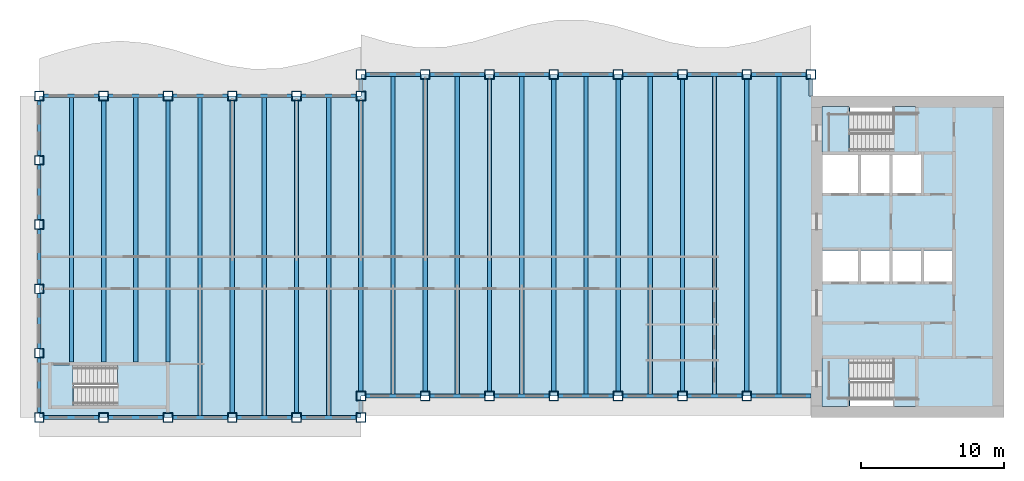
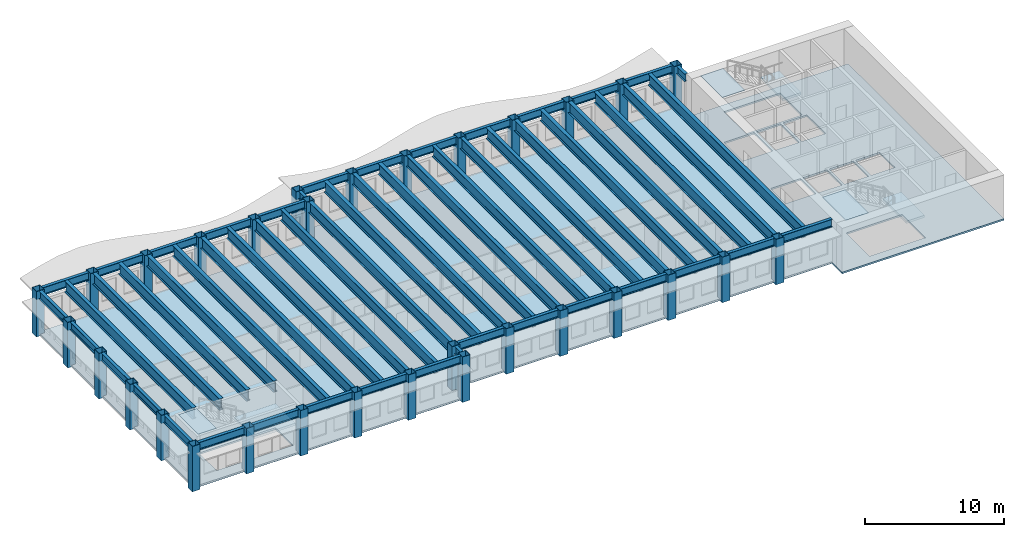
# One storey, part 1 of 12: 55 beams, 31 columns, 7 slabs, 3 elements without a shape of their own.
"""IFC4 building model written with IfcOpenShell, lengths in metres."""

from ifc_helpers import new_model, si_unit, direction, frame, origin, origin_2d, place, context, subcontext, project, spatial, polyline, hollow_rectangle, i_section, outline, extrude, material, layer, layer_set, material_profile, profile_set, type_object, element, aggregate, save


model = new_model("IFC4")

# Units and contexts
model_context = context("Model", 3, precision=1e-05, world=origin(), true_north=direction((0.0, 1.0)))
body_context = subcontext(model_context, "Body", "Model", "MODEL_VIEW")
ifc_project = project(units=[si_unit("LENGTHUNIT", "METRE"), si_unit("AREAUNIT", "SQUARE_METRE"), si_unit("VOLUMEUNIT", "CUBIC_METRE"), si_unit("PLANEANGLEUNIT", "RADIAN"), si_unit("MASSUNIT", "GRAM", prefix="KILO")], contexts=[model_context])

# Site, building, storey
site_placement = place(None, origin())
site = spatial("IfcSite", under=ifc_project, at=site_placement, CompositionType="ELEMENT")
building_placement = place(site_placement, origin())
building = spatial("IfcBuilding", under=site, at=building_placement, Name="Sennacour Bend Tower", CompositionType="ELEMENT")
storey_placement = place(building_placement, frame((0.0, 0.0, 289.0)))
storey = spatial("IfcBuildingStorey", under=building, at=storey_placement, Name="L67", CompositionType="ELEMENT", Elevation=289.0)

# Columns
ifc_material_1 = material(Name="Steel ASTM A572 Grade 50", Category="steel")
ifc_material_profile_1 = material_profile(ifc_material_1, hollow_rectangle(XDim=0.64990234375, YDim=0.64990234375, WallThickness=0.031982421875, at=origin_2d()), Name="Steel ASTM A572 Grade 50", Category="steel")
ifc_profile_set_1 = profile_set([ifc_material_profile_1], Name="Steel ASTM A572 Grade 50")
column_type = type_object("IfcColumnType", Name="Box column 650", PredefinedType="COLUMN", material=ifc_profile_set_1)
for number, where, z_axis, x_axis, name in (
    (1, (0.0, 0.0, -0.14990234375), (0.0, 0.0, 1.0), (1.0, 0.0, 0.0), "Perimeter column C5 L67-001"),
    (2, (0.0, 4.5, -0.14990234375), (0.0, 0.0, 1.0), (1.0, 0.0, 0.0), "Perimeter column C5 L67-002"),
    (3, (0.0, 9.0, -0.14990234375), (0.0, 0.0, 1.0), (1.0, 0.0, 0.0), "Perimeter column C5 L67-003"),
    (4, (0.0, 13.5, -0.14990234375), (0.0, 0.0, 1.0), (1.0, 0.0, 0.0), "Perimeter column C5 L67-004"),
    (5, (0.0, 18.0, -0.14990234375), (0.0, 0.0, 1.0), (1.0, 0.0, 0.0), "Perimeter column C5 L67-005"),
    (6, (0.0, 22.5, -0.14990234375), (0.0, 0.0, 1.0), (1.0, 0.0, 0.0), "Perimeter column C5 L67-006"),
    (7, (4.5, 0.0, -0.14990234375), (0.0, 0.0, 1.0), (1.0, 0.0, 0.0), "Perimeter column C5 L67-007"),
    (8, (4.5, 22.5, -0.14990234375), (0.0, 0.0, 1.0), (1.0, 0.0, 0.0), "Perimeter column C5 L67-008"),
    (9, (9.0, 0.0, -0.14990234375), (0.0, 0.0, 1.0), (1.0, 0.0, 0.0), "Perimeter column C5 L67-009"),
    (10, (9.0, 22.5, -0.14990234375), (0.0, 0.0, 1.0), (1.0, 0.0, 0.0), "Perimeter column C5 L67-010"),
    (11, (13.5, 0.0, -0.14990234375), (0.0, 0.0, 1.0), (1.0, 0.0, 0.0), "Perimeter column C5 L67-011"),
    (12, (13.5, 22.5, -0.14990234375), (0.0, 0.0, 1.0), (1.0, 0.0, 0.0), "Perimeter column C5 L67-012"),
    (13, (18.0, 0.0, -0.14990234375), (0.0, 0.0, 1.0), (1.0, 0.0, 0.0), "Perimeter column C5 L67-013"),
    (14, (18.0, 22.5, -0.14990234375), (0.0, 0.0, 1.0), (1.0, 0.0, 0.0), "Perimeter column C5 L67-014"),
    (15, (22.5, 0.0, -0.14990234375), (0.0, 0.0, 1.0), (1.0, 0.0, 0.0), "Perimeter column C5 L67-015"),
    (16, (22.5, 1.5, -0.14990234375), (0.0, 0.0, 1.0), (1.0, 0.0, 0.0), "Perimeter column C5 L67-016"),
    (17, (22.5, 22.5, -0.14990234375), (0.0, 0.0, 1.0), (1.0, 0.0, 0.0), "Perimeter column C5 L67-017"),
    (18, (22.5, 24.0, -0.14990234375), (0.0, 0.0, 1.0), (1.0, 0.0, 0.0), "Perimeter column C5 L67-018"),
    (19, (27.0, 1.5, -0.14990234375), (0.0, 0.0, 1.0), (1.0, 0.0, 0.0), "Perimeter column C5 L67-019"),
    (20, (27.0, 24.0, -0.14990234375), (0.0, 0.0, 1.0), (1.0, 0.0, 0.0), "Perimeter column C5 L67-020"),
    (21, (31.5, 1.5, -0.14990234375), (0.0, 0.0, 1.0), (1.0, 0.0, 0.0), "Perimeter column C5 L67-021"),
    (22, (31.5, 24.0, -0.14990234375), (0.0, 0.0, 1.0), (1.0, 0.0, 0.0), "Perimeter column C5 L67-022"),
    (23, (36.0, 1.5, -0.14990234375), (0.0, 0.0, 1.0), (1.0, 0.0, 0.0), "Perimeter column C5 L67-023"),
    (24, (36.0, 24.0, -0.14990234375), (0.0, 0.0, 1.0), (1.0, 0.0, 0.0), "Perimeter column C5 L67-024"),
    (25, (40.5, 1.5, -0.14990234375), (0.0, 0.0, 1.0), (1.0, 0.0, 0.0), "Perimeter column C5 L67-025"),
    (26, (40.5, 24.0, -0.14990234375), (0.0, 0.0, 1.0), (1.0, 0.0, 0.0), "Perimeter column C5 L67-026"),
    (27, (45.0, 1.5, -0.14990234375), (0.0, 0.0, 1.0), (1.0, 0.0, 0.0), "Perimeter column C5 L67-027"),
    (28, (45.0, 24.0, -0.14990234375), (0.0, 0.0, 1.0), (1.0, 0.0, 0.0), "Perimeter column C5 L67-028"),
    (29, (49.5, 1.5, -0.14990234375), (0.0, 0.0, 1.0), (1.0, 0.0, 0.0), "Perimeter column C5 L67-029"),
    (30, (49.5, 24.0, -0.14990234375), (0.0, 0.0, 1.0), (1.0, 0.0, 0.0), "Perimeter column C5 L67-030"),
    (31, (54.0, 24.0, -0.14990234375), (0.0, 0.0, 1.0), (1.0, 0.0, 0.0), "Perimeter column C5 L67-031"),
):
    element("IfcColumn", number, at=place(storey_placement, frame(where, z_axis=z_axis, x_axis=x_axis)), inside=storey, type_object=column_type, Name=name, PredefinedType="COLUMN", context=body_context, shape_type="SweptSolid", body=[
        extrude(hollow_rectangle(XDim=0.64990234375, YDim=0.64990234375, WallThickness=0.031982421875, at=origin_2d()), origin(), (0.0, 0.0, 1.0), 4.0),
    ])

# Beams
ifc_material_2 = material(Name="Steel ASTM A992 Grade 50", Category="steel")
ifc_material_profile_2 = material_profile(ifc_material_2, i_section(OverallWidth=0.300048828125, OverallDepth=0.97998046875, WebThickness=0.0166015625, FlangeThickness=0.026123046875, FilletRadius=0.02978515625, at=origin_2d()), Name="Steel ASTM A992 Grade 50", Category="steel")
ifc_profile_set_2 = profile_set([ifc_material_profile_2], Name="Steel ASTM A992 Grade 50")
beam_type_1 = type_object("IfcBeamType", Name="Floor beam W1000X249", PredefinedType="BEAM", material=ifc_profile_set_2)
beam_1_placement = place(storey_placement, frame((2.25, 3.875, 3.360107421875), z_axis=(0.0, 1.0, 0.0), x_axis=(-1.0, 0.0, 0.0)))
element("IfcBeam", 32, at=beam_1_placement, inside=storey, type_object=beam_type_1, Name="Floor beam FBM2 L68-001", PredefinedType="BEAM", context=body_context, shape_type="SweptSolid", body=[
    extrude(i_section(OverallWidth=0.300048828125, OverallDepth=0.97998046875, WebThickness=0.0166015625, FlangeThickness=0.026123046875, FilletRadius=0.02978515625, at=origin_2d()), origin(), (0.0, 0.0, 1.0), 18.498046875),
])
beam_2_placement = place(storey_placement, frame((4.5, 3.875, 3.360107421875), z_axis=(0.0, 1.0, 0.0), x_axis=(-1.0, 0.0, 0.0)))
element("IfcBeam", 33, at=beam_2_placement, inside=storey, type_object=beam_type_1, Name="Floor beam FBM2 L68-002", PredefinedType="BEAM", context=body_context, shape_type="SweptSolid", body=[
    extrude(i_section(OverallWidth=0.300048828125, OverallDepth=0.97998046875, WebThickness=0.0166015625, FlangeThickness=0.026123046875, FilletRadius=0.02978515625, at=origin_2d()), origin(), (0.0, 0.0, 1.0), 18.300048828125),
])
beam_3_placement = place(storey_placement, frame((6.75, 3.875, 3.360107421875), z_axis=(0.0, 1.0, 0.0), x_axis=(-1.0, 0.0, 0.0)))
element("IfcBeam", 34, at=beam_3_placement, inside=storey, type_object=beam_type_1, Name="Floor beam FBM2 L68-003", PredefinedType="BEAM", context=body_context, shape_type="SweptSolid", body=[
    extrude(i_section(OverallWidth=0.300048828125, OverallDepth=0.97998046875, WebThickness=0.0166015625, FlangeThickness=0.026123046875, FilletRadius=0.02978515625, at=origin_2d()), origin(), (0.0, 0.0, 1.0), 18.498046875),
])
beam_4_placement = place(storey_placement, frame((9.0, 3.875, 3.360107421875), z_axis=(0.0, 1.0, 0.0), x_axis=(-1.0, 0.0, 0.0)))
element("IfcBeam", 35, at=beam_4_placement, inside=storey, type_object=beam_type_1, Name="Floor beam FBM2 L68-004", PredefinedType="BEAM", context=body_context, shape_type="SweptSolid", body=[
    extrude(i_section(OverallWidth=0.300048828125, OverallDepth=0.97998046875, WebThickness=0.0166015625, FlangeThickness=0.026123046875, FilletRadius=0.02978515625, at=origin_2d()), origin(), (0.0, 0.0, 1.0), 18.300048828125),
])
beam_5_placement = place(storey_placement, frame((11.25, 0.126953125, 3.360107421875), z_axis=(0.0, 1.0, 0.0), x_axis=(-1.0, 0.0, 0.0)))
element("IfcBeam", 36, at=beam_5_placement, inside=storey, type_object=beam_type_1, Name="Floor beam FBM2 L68-005", PredefinedType="BEAM", context=body_context, shape_type="SweptSolid", body=[
    extrude(i_section(OverallWidth=0.300048828125, OverallDepth=0.97998046875, WebThickness=0.0166015625, FlangeThickness=0.026123046875, FilletRadius=0.02978515625, at=origin_2d()), origin(), (0.0, 0.0, 1.0), 22.24609375),
])
beam_6_placement = place(storey_placement, frame((13.5, 0.324951171875, 3.360107421875), z_axis=(0.0, 1.0, 0.0), x_axis=(-1.0, 0.0, 0.0)))
element("IfcBeam", 37, at=beam_6_placement, inside=storey, type_object=beam_type_1, Name="Floor beam FBM2 L68-006", PredefinedType="BEAM", context=body_context, shape_type="SweptSolid", body=[
    extrude(i_section(OverallWidth=0.300048828125, OverallDepth=0.97998046875, WebThickness=0.0166015625, FlangeThickness=0.026123046875, FilletRadius=0.02978515625, at=origin_2d()), origin(), (0.0, 0.0, 1.0), 21.85009765625),
])
beam_7_placement = place(storey_placement, frame((15.75, 0.126953125, 3.360107421875), z_axis=(0.0, 1.0, 0.0), x_axis=(-1.0, 0.0, 0.0)))
element("IfcBeam", 38, at=beam_7_placement, inside=storey, type_object=beam_type_1, Name="Floor beam FBM2 L68-007", PredefinedType="BEAM", context=body_context, shape_type="SweptSolid", body=[
    extrude(i_section(OverallWidth=0.300048828125, OverallDepth=0.97998046875, WebThickness=0.0166015625, FlangeThickness=0.026123046875, FilletRadius=0.02978515625, at=origin_2d()), origin(), (0.0, 0.0, 1.0), 22.24609375),
])
beam_8_placement = place(storey_placement, frame((18.0, 0.324951171875, 3.360107421875), z_axis=(0.0, 1.0, 0.0), x_axis=(-1.0, 0.0, 0.0)))
element("IfcBeam", 39, at=beam_8_placement, inside=storey, type_object=beam_type_1, Name="Floor beam FBM2 L68-008", PredefinedType="BEAM", context=body_context, shape_type="SweptSolid", body=[
    extrude(i_section(OverallWidth=0.300048828125, OverallDepth=0.97998046875, WebThickness=0.0166015625, FlangeThickness=0.026123046875, FilletRadius=0.02978515625, at=origin_2d()), origin(), (0.0, 0.0, 1.0), 21.85009765625),
])
beam_9_placement = place(storey_placement, frame((20.25, 0.126953125, 3.360107421875), z_axis=(0.0, 1.0, 0.0), x_axis=(-1.0, 0.0, 0.0)))
element("IfcBeam", 40, at=beam_9_placement, inside=storey, type_object=beam_type_1, Name="Floor beam FBM2 L68-009", PredefinedType="BEAM", context=body_context, shape_type="SweptSolid", body=[
    extrude(i_section(OverallWidth=0.300048828125, OverallDepth=0.97998046875, WebThickness=0.0166015625, FlangeThickness=0.026123046875, FilletRadius=0.02978515625, at=origin_2d()), origin(), (0.0, 0.0, 1.0), 22.24609375),
])
beam_10_placement = place(storey_placement, frame((22.5, 1.824951171875, 3.360107421875), z_axis=(0.0, 1.0, 0.0), x_axis=(-1.0, 0.0, 0.0)))
element("IfcBeam", 41, at=beam_10_placement, inside=storey, type_object=beam_type_1, Name="Floor beam FBM2 L68-010", PredefinedType="BEAM", context=body_context, shape_type="SweptSolid", body=[
    extrude(i_section(OverallWidth=0.300048828125, OverallDepth=0.97998046875, WebThickness=0.0166015625, FlangeThickness=0.026123046875, FilletRadius=0.02978515625, at=origin_2d()), origin(), (0.0, 0.0, 1.0), 20.35009765625),
])
beam_11_placement = place(storey_placement, frame((24.75, 1.626953125, 3.360107421875), z_axis=(0.0, 1.0, 0.0), x_axis=(-1.0, 0.0, 0.0)))
element("IfcBeam", 42, at=beam_11_placement, inside=storey, type_object=beam_type_1, Name="Floor beam FBM2 L68-011", PredefinedType="BEAM", context=body_context, shape_type="SweptSolid", body=[
    extrude(i_section(OverallWidth=0.300048828125, OverallDepth=0.97998046875, WebThickness=0.0166015625, FlangeThickness=0.026123046875, FilletRadius=0.02978515625, at=origin_2d()), origin(), (0.0, 0.0, 1.0), 22.24609375),
])
beam_12_placement = place(storey_placement, frame((27.0, 1.824951171875, 3.360107421875), z_axis=(0.0, 1.0, 0.0), x_axis=(-1.0, 0.0, 0.0)))
element("IfcBeam", 43, at=beam_12_placement, inside=storey, type_object=beam_type_1, Name="Floor beam FBM2 L68-012", PredefinedType="BEAM", context=body_context, shape_type="SweptSolid", body=[
    extrude(i_section(OverallWidth=0.300048828125, OverallDepth=0.97998046875, WebThickness=0.0166015625, FlangeThickness=0.026123046875, FilletRadius=0.02978515625, at=origin_2d()), origin(), (0.0, 0.0, 1.0), 21.85009765625),
])
beam_13_placement = place(storey_placement, frame((29.25, 1.626953125, 3.360107421875), z_axis=(0.0, 1.0, 0.0), x_axis=(-1.0, 0.0, 0.0)))
element("IfcBeam", 44, at=beam_13_placement, inside=storey, type_object=beam_type_1, Name="Floor beam FBM2 L68-013", PredefinedType="BEAM", context=body_context, shape_type="SweptSolid", body=[
    extrude(i_section(OverallWidth=0.300048828125, OverallDepth=0.97998046875, WebThickness=0.0166015625, FlangeThickness=0.026123046875, FilletRadius=0.02978515625, at=origin_2d()), origin(), (0.0, 0.0, 1.0), 22.24609375),
])
beam_14_placement = place(storey_placement, frame((31.5, 1.824951171875, 3.360107421875), z_axis=(0.0, 1.0, 0.0), x_axis=(-1.0, 0.0, 0.0)))
element("IfcBeam", 45, at=beam_14_placement, inside=storey, type_object=beam_type_1, Name="Floor beam FBM2 L68-014", PredefinedType="BEAM", context=body_context, shape_type="SweptSolid", body=[
    extrude(i_section(OverallWidth=0.300048828125, OverallDepth=0.97998046875, WebThickness=0.0166015625, FlangeThickness=0.026123046875, FilletRadius=0.02978515625, at=origin_2d()), origin(), (0.0, 0.0, 1.0), 21.85009765625),
])
beam_15_placement = place(storey_placement, frame((33.75, 1.626953125, 3.360107421875), z_axis=(0.0, 1.0, 0.0), x_axis=(-1.0, 0.0, 0.0)))
element("IfcBeam", 46, at=beam_15_placement, inside=storey, type_object=beam_type_1, Name="Floor beam FBM2 L68-015", PredefinedType="BEAM", context=body_context, shape_type="SweptSolid", body=[
    extrude(i_section(OverallWidth=0.300048828125, OverallDepth=0.97998046875, WebThickness=0.0166015625, FlangeThickness=0.026123046875, FilletRadius=0.02978515625, at=origin_2d()), origin(), (0.0, 0.0, 1.0), 22.24609375),
])
beam_16_placement = place(storey_placement, frame((36.0, 1.824951171875, 3.360107421875), z_axis=(0.0, 1.0, 0.0), x_axis=(-1.0, 0.0, 0.0)))
element("IfcBeam", 47, at=beam_16_placement, inside=storey, type_object=beam_type_1, Name="Floor beam FBM2 L68-016", PredefinedType="BEAM", context=body_context, shape_type="SweptSolid", body=[
    extrude(i_section(OverallWidth=0.300048828125, OverallDepth=0.97998046875, WebThickness=0.0166015625, FlangeThickness=0.026123046875, FilletRadius=0.02978515625, at=origin_2d()), origin(), (0.0, 0.0, 1.0), 21.85009765625),
])
beam_17_placement = place(storey_placement, frame((38.25, 1.626953125, 3.360107421875), z_axis=(0.0, 1.0, 0.0), x_axis=(-1.0, 0.0, 0.0)))
element("IfcBeam", 48, at=beam_17_placement, inside=storey, type_object=beam_type_1, Name="Floor beam FBM2 L68-017", PredefinedType="BEAM", context=body_context, shape_type="SweptSolid", body=[
    extrude(i_section(OverallWidth=0.300048828125, OverallDepth=0.97998046875, WebThickness=0.0166015625, FlangeThickness=0.026123046875, FilletRadius=0.02978515625, at=origin_2d()), origin(), (0.0, 0.0, 1.0), 22.24609375),
])
beam_18_placement = place(storey_placement, frame((40.5, 1.824951171875, 3.360107421875), z_axis=(0.0, 1.0, 0.0), x_axis=(-1.0, 0.0, 0.0)))
element("IfcBeam", 49, at=beam_18_placement, inside=storey, type_object=beam_type_1, Name="Floor beam FBM2 L68-018", PredefinedType="BEAM", context=body_context, shape_type="SweptSolid", body=[
    extrude(i_section(OverallWidth=0.300048828125, OverallDepth=0.97998046875, WebThickness=0.0166015625, FlangeThickness=0.026123046875, FilletRadius=0.02978515625, at=origin_2d()), origin(), (0.0, 0.0, 1.0), 21.85009765625),
])
beam_19_placement = place(storey_placement, frame((42.75, 1.626953125, 3.360107421875), z_axis=(0.0, 1.0, 0.0), x_axis=(-1.0, 0.0, 0.0)))
element("IfcBeam", 50, at=beam_19_placement, inside=storey, type_object=beam_type_1, Name="Floor beam FBM2 L68-019", PredefinedType="BEAM", context=body_context, shape_type="SweptSolid", body=[
    extrude(i_section(OverallWidth=0.300048828125, OverallDepth=0.97998046875, WebThickness=0.0166015625, FlangeThickness=0.026123046875, FilletRadius=0.02978515625, at=origin_2d()), origin(), (0.0, 0.0, 1.0), 22.24609375),
])
beam_20_placement = place(storey_placement, frame((45.0, 1.824951171875, 3.360107421875), z_axis=(0.0, 1.0, 0.0), x_axis=(-1.0, 0.0, 0.0)))
element("IfcBeam", 51, at=beam_20_placement, inside=storey, type_object=beam_type_1, Name="Floor beam FBM2 L68-020", PredefinedType="BEAM", context=body_context, shape_type="SweptSolid", body=[
    extrude(i_section(OverallWidth=0.300048828125, OverallDepth=0.97998046875, WebThickness=0.0166015625, FlangeThickness=0.026123046875, FilletRadius=0.02978515625, at=origin_2d()), origin(), (0.0, 0.0, 1.0), 21.85009765625),
])
beam_21_placement = place(storey_placement, frame((47.25, 1.626953125, 3.360107421875), z_axis=(0.0, 1.0, 0.0), x_axis=(-1.0, 0.0, 0.0)))
element("IfcBeam", 52, at=beam_21_placement, inside=storey, type_object=beam_type_1, Name="Floor beam FBM2 L68-021", PredefinedType="BEAM", context=body_context, shape_type="SweptSolid", body=[
    extrude(i_section(OverallWidth=0.300048828125, OverallDepth=0.97998046875, WebThickness=0.0166015625, FlangeThickness=0.026123046875, FilletRadius=0.02978515625, at=origin_2d()), origin(), (0.0, 0.0, 1.0), 22.24609375),
])
beam_22_placement = place(storey_placement, frame((49.5, 1.824951171875, 3.360107421875), z_axis=(0.0, 1.0, 0.0), x_axis=(-1.0, 0.0, 0.0)))
element("IfcBeam", 53, at=beam_22_placement, inside=storey, type_object=beam_type_1, Name="Floor beam FBM2 L68-022", PredefinedType="BEAM", context=body_context, shape_type="SweptSolid", body=[
    extrude(i_section(OverallWidth=0.300048828125, OverallDepth=0.97998046875, WebThickness=0.0166015625, FlangeThickness=0.026123046875, FilletRadius=0.02978515625, at=origin_2d()), origin(), (0.0, 0.0, 1.0), 21.85009765625),
])
beam_23_placement = place(storey_placement, frame((51.75, 1.626953125, 3.360107421875), z_axis=(0.0, 1.0, 0.0), x_axis=(-1.0, 0.0, 0.0)))
element("IfcBeam", 54, at=beam_23_placement, inside=storey, type_object=beam_type_1, Name="Floor beam FBM2 L68-023", PredefinedType="BEAM", context=body_context, shape_type="SweptSolid", body=[
    extrude(i_section(OverallWidth=0.300048828125, OverallDepth=0.97998046875, WebThickness=0.0166015625, FlangeThickness=0.026123046875, FilletRadius=0.02978515625, at=origin_2d()), origin(), (0.0, 0.0, 1.0), 22.24609375),
])
ifc_material_profile_3 = material_profile(ifc_material_2, i_section(OverallWidth=0.25390625, OverallDepth=0.68798828125, WebThickness=0.01318359375, FlangeThickness=0.02099609375, FilletRadius=0.01513671875, at=origin_2d()), Name="Steel ASTM A992 Grade 50", Category="steel")
ifc_profile_set_3 = profile_set([ifc_material_profile_3], Name="Steel ASTM A992 Grade 50")
beam_type_2 = type_object("IfcBeamType", Name="Spandrel beam W690X152", PredefinedType="SPANDREL", material=ifc_profile_set_3)
for number, where, z_axis, x_axis, name in (
    (55, (22.175048828125, 0.0, 3.506103515625), (-1.0, 0.0, 0.0), (0.0, -1.0, 0.0), "Spandrel beam SP6 L68-001"),
    (56, (17.675048828125, 0.0, 3.506103515625), (-1.0, 0.0, 0.0), (0.0, -1.0, 0.0), "Spandrel beam SP6 L68-002"),
    (57, (13.175048828125, 0.0, 3.506103515625), (-1.0, 0.0, 0.0), (0.0, -1.0, 0.0), "Spandrel beam SP6 L68-003"),
    (58, (8.675048828125, 0.0, 3.506103515625), (-1.0, 0.0, 0.0), (0.0, -1.0, 0.0), "Spandrel beam SP6 L68-004"),
    (59, (4.175048828125, 0.0, 3.506103515625), (-1.0, 0.0, 0.0), (0.0, -1.0, 0.0), "Spandrel beam SP6 L68-005"),
    (60, (0.0, 0.324951171875, 3.506103515625), (0.0, 1.0, 0.0), (-1.0, 0.0, 0.0), "Spandrel beam SP6 L68-006"),
    (61, (0.0, 4.824951171875, 3.506103515625), (0.0, 1.0, 0.0), (-1.0, 0.0, 0.0), "Spandrel beam SP6 L68-007"),
    (62, (0.0, 9.324951171875, 3.506103515625), (0.0, 1.0, 0.0), (-1.0, 0.0, 0.0), "Spandrel beam SP6 L68-008"),
    (63, (0.0, 13.824951171875, 3.506103515625), (0.0, 1.0, 0.0), (-1.0, 0.0, 0.0), "Spandrel beam SP6 L68-009"),
    (64, (0.0, 18.324951171875, 3.506103515625), (0.0, 1.0, 0.0), (-1.0, 0.0, 0.0), "Spandrel beam SP6 L68-010"),
    (65, (0.324951171875, 22.5, 3.506103515625), (1.0, 0.0, 0.0), (0.0, 1.0, 0.0), "Spandrel beam SP6 L68-011"),
    (66, (4.824951171875, 22.5, 3.506103515625), (1.0, 0.0, 0.0), (0.0, 1.0, 0.0), "Spandrel beam SP6 L68-012"),
    (67, (9.324951171875, 22.5, 3.506103515625), (1.0, 0.0, 0.0), (0.0, 1.0, 0.0), "Spandrel beam SP6 L68-013"),
    (68, (13.824951171875, 22.5, 3.506103515625), (1.0, 0.0, 0.0), (0.0, 1.0, 0.0), "Spandrel beam SP6 L68-014"),
    (69, (18.324951171875, 22.5, 3.506103515625), (1.0, 0.0, 0.0), (0.0, 1.0, 0.0), "Spandrel beam SP6 L68-015"),
):
    element("IfcBeam", number, at=place(storey_placement, frame(where, z_axis=z_axis, x_axis=x_axis)), inside=storey, type_object=beam_type_2, Name=name, PredefinedType="SPANDREL", context=body_context, shape_type="SweptSolid", body=[
        extrude(i_section(OverallWidth=0.25390625, OverallDepth=0.68798828125, WebThickness=0.01318359375, FlangeThickness=0.02099609375, FilletRadius=0.01513671875, at=origin_2d()), origin(), (0.0, 0.0, 1.0), 3.85009765625),
    ])
beam_24_placement = place(storey_placement, frame((22.5, 22.824951171875, 3.506103515625), z_axis=(0.0, 1.0, 0.0), x_axis=(-1.0, 0.0, 0.0)))
element("IfcBeam", 70, at=beam_24_placement, inside=storey, type_object=beam_type_2, Name="Spandrel beam SP6 L68-016", PredefinedType="SPANDREL", context=body_context, shape_type="SweptSolid", body=[
    extrude(i_section(OverallWidth=0.25390625, OverallDepth=0.68798828125, WebThickness=0.01318359375, FlangeThickness=0.02099609375, FilletRadius=0.01513671875, at=origin_2d()), origin(), (0.0, 0.0, 1.0), 0.85009765625),
])
for number, where, z_axis, x_axis, name in (
    (71, (22.824951171875, 24.0, 3.506103515625), (1.0, 0.0, 0.0), (0.0, 1.0, 0.0), "Spandrel beam SP6 L68-017"),
    (72, (27.324951171875, 24.0, 3.506103515625), (1.0, 0.0, 0.0), (0.0, 1.0, 0.0), "Spandrel beam SP6 L68-018"),
    (73, (31.824951171875, 24.0, 3.506103515625), (1.0, 0.0, 0.0), (0.0, 1.0, 0.0), "Spandrel beam SP6 L68-019"),
    (74, (36.324951171875, 24.0, 3.506103515625), (1.0, 0.0, 0.0), (0.0, 1.0, 0.0), "Spandrel beam SP6 L68-020"),
    (75, (40.824951171875, 24.0, 3.506103515625), (1.0, 0.0, 0.0), (0.0, 1.0, 0.0), "Spandrel beam SP6 L68-021"),
    (76, (45.324951171875, 24.0, 3.506103515625), (1.0, 0.0, 0.0), (0.0, 1.0, 0.0), "Spandrel beam SP6 L68-022"),
    (77, (49.824951171875, 24.0, 3.506103515625), (1.0, 0.0, 0.0), (0.0, 1.0, 0.0), "Spandrel beam SP6 L68-023"),
):
    element("IfcBeam", number, at=place(storey_placement, frame(where, z_axis=z_axis, x_axis=x_axis)), inside=storey, type_object=beam_type_2, Name=name, PredefinedType="SPANDREL", context=body_context, shape_type="SweptSolid", body=[
        extrude(i_section(OverallWidth=0.25390625, OverallDepth=0.68798828125, WebThickness=0.01318359375, FlangeThickness=0.02099609375, FilletRadius=0.01513671875, at=origin_2d()), origin(), (0.0, 0.0, 1.0), 3.85009765625),
    ])
beam_25_placement = place(storey_placement, frame((54.0, 23.675048828125, 3.506103515625), z_axis=(0.0, -1.0, 0.0), x_axis=(1.0, 0.0, 0.0)))
element("IfcBeam", 78, at=beam_25_placement, inside=storey, type_object=beam_type_2, Name="Spandrel beam SP6 L68-024", PredefinedType="SPANDREL", context=body_context, shape_type="SweptSolid", body=[
    extrude(i_section(OverallWidth=0.25390625, OverallDepth=0.68798828125, WebThickness=0.01318359375, FlangeThickness=0.02099609375, FilletRadius=0.01513671875, at=origin_2d()), origin(), (0.0, 0.0, 1.0), 1.175048828125),
])
beam_26_placement = place(storey_placement, frame((54.0, 1.5, 3.506103515625), z_axis=(-1.0, 0.0, 0.0), x_axis=(0.0, -1.0, 0.0)))
element("IfcBeam", 79, at=beam_26_placement, inside=storey, type_object=beam_type_2, Name="Spandrel beam SP6 L68-025", PredefinedType="SPANDREL", context=body_context, shape_type="SweptSolid", body=[
    extrude(i_section(OverallWidth=0.25390625, OverallDepth=0.68798828125, WebThickness=0.01318359375, FlangeThickness=0.02099609375, FilletRadius=0.01513671875, at=origin_2d()), origin(), (0.0, 0.0, 1.0), 4.175048828125),
])
for number, where, z_axis, x_axis, name in (
    (80, (49.175048828125, 1.5, 3.506103515625), (-1.0, 0.0, 0.0), (0.0, -1.0, 0.0), "Spandrel beam SP6 L68-026"),
    (81, (44.675048828125, 1.5, 3.506103515625), (-1.0, 0.0, 0.0), (0.0, -1.0, 0.0), "Spandrel beam SP6 L68-027"),
    (82, (40.175048828125, 1.5, 3.506103515625), (-1.0, 0.0, 0.0), (0.0, -1.0, 0.0), "Spandrel beam SP6 L68-028"),
    (83, (35.675048828125, 1.5, 3.506103515625), (-1.0, 0.0, 0.0), (0.0, -1.0, 0.0), "Spandrel beam SP6 L68-029"),
    (84, (31.175048828125, 1.5, 3.506103515625), (-1.0, 0.0, 0.0), (0.0, -1.0, 0.0), "Spandrel beam SP6 L68-030"),
    (85, (26.675048828125, 1.5, 3.506103515625), (-1.0, 0.0, 0.0), (0.0, -1.0, 0.0), "Spandrel beam SP6 L68-031"),
):
    element("IfcBeam", number, at=place(storey_placement, frame(where, z_axis=z_axis, x_axis=x_axis)), inside=storey, type_object=beam_type_2, Name=name, PredefinedType="SPANDREL", context=body_context, shape_type="SweptSolid", body=[
        extrude(i_section(OverallWidth=0.25390625, OverallDepth=0.68798828125, WebThickness=0.01318359375, FlangeThickness=0.02099609375, FilletRadius=0.01513671875, at=origin_2d()), origin(), (0.0, 0.0, 1.0), 3.85009765625),
    ])
beam_27_placement = place(storey_placement, frame((22.5, 1.175048828125, 3.506103515625), z_axis=(0.0, -1.0, 0.0), x_axis=(1.0, 0.0, 0.0)))
element("IfcBeam", 86, at=beam_27_placement, inside=storey, type_object=beam_type_2, Name="Spandrel beam SP6 L68-032", PredefinedType="SPANDREL", context=body_context, shape_type="SweptSolid", body=[
    extrude(i_section(OverallWidth=0.25390625, OverallDepth=0.68798828125, WebThickness=0.01318359375, FlangeThickness=0.02099609375, FilletRadius=0.01513671875, at=origin_2d()), origin(), (0.0, 0.0, 1.0), 0.85009765625),
])

# Slabs
ifc_material_3 = material(Name="Concrete C30/37", Category="concrete")
ifc_layer_1 = layer(ifc_material_3, 0.14990234375, Name="Concrete C30/37", Category="concrete")
ifc_layer_set_1 = layer_set([ifc_layer_1], Name="Concrete C30/37")
slab_type_1 = type_object("IfcSlabType", Name="Floor slab 150", PredefinedType="FLOOR", material=ifc_layer_set_1)
slab_1_placement = place(storey_placement, frame((0.0, 0.0, -0.14990234375)))
element("IfcSlab", 87, at=slab_1_placement, inside=storey, type_object=slab_type_1, Name="Floor slab L67-01", PredefinedType="FLOOR", context=body_context, shape_type="SweptSolid", body=[
    extrude(outline(polyline([(0.0, 0.0), (0.0, 22.5), (22.5, 22.5), (22.5, 24.0), (54.0, 24.0), (54.0, 22.5), (67.5, 22.5), (67.5, 0.0), (54.0, 0.0), (54.0, 1.5), (22.5, 1.5), (22.5, 0.0), (0.0, 0.0)]), holes=[polyline([(8.800048828125, 3.5), (2.429931640625, 3.5), (2.429931640625, 0.949951171875), (8.800048828125, 0.949951171875), (8.800048828125, 3.5)]), polyline([(61.39990234375, 4.125), (56.72998046875, 4.125), (56.72998046875, 0.75), (61.39990234375, 0.75), (61.39990234375, 4.125)]), polyline([(57.300048828125, 11.699951171875), (54.800048828125, 11.699951171875), (54.800048828125, 9.5), (57.300048828125, 9.5), (57.300048828125, 11.699951171875)]), polyline([(59.5, 9.5), (59.5, 11.699951171875), (57.5, 11.699951171875), (57.5, 9.5), (59.5, 9.5)]), polyline([(61.699951171875, 9.5), (61.699951171875, 11.699951171875), (59.699951171875, 11.699951171875), (59.699951171875, 9.5), (61.699951171875, 9.5)]), polyline([(63.89990234375, 11.699951171875), (61.89990234375, 11.699951171875), (61.89990234375, 9.5), (63.89990234375, 9.5), (63.89990234375, 11.699951171875)]), polyline([(57.300048828125, 18.39990234375), (54.800048828125, 18.39990234375), (54.800048828125, 15.699951171875), (57.300048828125, 15.699951171875), (57.300048828125, 18.39990234375)]), polyline([(59.5, 18.39990234375), (57.5, 18.39990234375), (57.5, 15.699951171875), (59.5, 15.699951171875), (59.5, 18.39990234375)]), polyline([(61.699951171875, 15.699951171875), (61.699951171875, 18.39990234375), (59.699951171875, 18.39990234375), (59.699951171875, 15.699951171875), (61.699951171875, 15.699951171875)]), polyline([(61.39990234375, 18.574951171875), (61.39990234375, 21.75), (56.72998046875, 21.75), (56.72998046875, 18.574951171875), (61.39990234375, 18.574951171875)])]), origin(), (0.0, 0.0, 1.0), 0.14990234375),
])
ifc_material_4 = material(Name="Concrete C40/50", Category="concrete")
ifc_layer_2 = layer(ifc_material_4, 0.034912109375, Name="Concrete C40/50", Category="concrete")
ifc_layer_set_2 = layer_set([ifc_layer_2], Name="Concrete C40/50")
slab_type_2 = type_object("IfcSlabType", Name="Stair arrival nib 35", PredefinedType="FLOOR", material=ifc_layer_set_2)
slab_2_placement = place(storey_placement, frame((0.0, 0.0, 3.815185546875)))
element("IfcSlab", 88, at=slab_2_placement, inside=storey, type_object=slab_type_2, Name="L67 SA1 stair arrival nib", PredefinedType="FLOOR", context=body_context, shape_type="SweptSolid", body=[
    extrude(outline(polyline([(56.64208984375, 4.125), (54.75, 4.125), (54.75, 0.75), (56.64208984375, 0.75), (56.64208984375, 4.125)])), origin(), (0.0, 0.0, 1.0), 0.034912109375),
])
slab_3_placement = place(storey_placement, frame((0.0, 0.0, 3.815185546875)))
element("IfcSlab", 89, at=slab_3_placement, inside=storey, type_object=slab_type_2, Name="L67 SA2 stair arrival nib", PredefinedType="FLOOR", context=body_context, shape_type="SweptSolid", body=[
    extrude(outline(polyline([(56.64208984375, 21.75), (54.75, 21.75), (54.75, 18.574951171875), (56.64208984375, 18.574951171875), (56.64208984375, 21.75)])), origin(), (0.0, 0.0, 1.0), 0.034912109375),
])
slab_4_placement = place(storey_placement, frame((0.0, 0.0, 3.815185546875)))
element("IfcSlab", 90, at=slab_4_placement, inside=storey, type_object=slab_type_2, Name="L67 SK1 stair arrival nib", PredefinedType="FLOOR", context=body_context, shape_type="SweptSolid", body=[
    extrude(outline(polyline([(2.342041015625, 3.675048828125), (0.800048828125, 3.675048828125), (0.800048828125, 0.800048828125), (2.342041015625, 0.800048828125), (2.342041015625, 3.675048828125)])), origin(), (0.0, 0.0, 1.0), 0.034912109375),
])

# Stair, slab
stair_type = type_object("IfcStairType", Name="ST-DOGLEG", PredefinedType="HALF_TURN_STAIR", material=ifc_material_4)
stair_1_placement = place(storey_placement, origin())
stair_1 = element("IfcStair", 91, at=stair_1_placement, inside=storey, type_object=stair_type, Name="L67 Exit stair A1", PredefinedType="HALF_TURN_STAIR")
ifc_layer_3 = layer(ifc_material_4, 0.199951171875, Name="Concrete C40/50", Category="concrete")
ifc_layer_set_3 = layer_set([ifc_layer_3], Name="Concrete C40/50")
slab_type_3 = type_object("IfcSlabType", Name="Stair landing 200", PredefinedType="LANDING", material=ifc_layer_set_3)
slab_5_placement = place(storey_placement, frame((0.0, 0.0, 1.800048828125)))
slab_5 = element("IfcSlab", 92, at=slab_5_placement, type_object=slab_type_3, Name="SA1 landing 1", PredefinedType="LANDING", context=body_context, shape_type="SweptSolid", body=[
    extrude(outline(polyline([(59.780029296875, 0.75), (61.324951171875, 0.75), (61.324951171875, 4.125), (59.780029296875, 4.125), (59.780029296875, 0.75)])), origin(), (0.0, 0.0, 1.0), 0.199951171875),
])
aggregate(stair_1, [slab_5])

stair_2_placement = place(storey_placement, origin())
stair_2 = element("IfcStair", 93, at=stair_2_placement, inside=storey, type_object=stair_type, Name="L67 Exit stair A2", PredefinedType="HALF_TURN_STAIR")
slab_6_placement = place(storey_placement, frame((0.0, 0.0, 1.800048828125)))
slab_6 = element("IfcSlab", 94, at=slab_6_placement, type_object=slab_type_3, Name="SA2 landing 1", PredefinedType="LANDING", context=body_context, shape_type="SweptSolid", body=[
    extrude(outline(polyline([(59.780029296875, 18.574951171875), (61.324951171875, 18.574951171875), (61.324951171875, 21.75), (59.780029296875, 21.75), (59.780029296875, 18.574951171875)])), origin(), (0.0, 0.0, 1.0), 0.199951171875),
])
aggregate(stair_2, [slab_6])

stair_3_placement = place(storey_placement, origin())
stair_3 = element("IfcStair", 95, at=stair_3_placement, inside=storey, type_object=stair_type, Name="L67 Exit stair K1", PredefinedType="HALF_TURN_STAIR")
slab_7_placement = place(storey_placement, frame((0.0, 0.0, 1.800048828125)))
slab_7 = element("IfcSlab", 96, at=slab_7_placement, type_object=slab_type_3, Name="SK1 landing 1", PredefinedType="LANDING", context=body_context, shape_type="SweptSolid", body=[
    extrude(outline(polyline([(5.47998046875, 0.800048828125), (8.925048828125, 0.800048828125), (8.925048828125, 3.675048828125), (5.47998046875, 3.675048828125), (5.47998046875, 0.800048828125)])), origin(), (0.0, 0.0, 1.0), 0.199951171875),
])
aggregate(stair_3, [slab_7])

save(model, "model.ifc")
